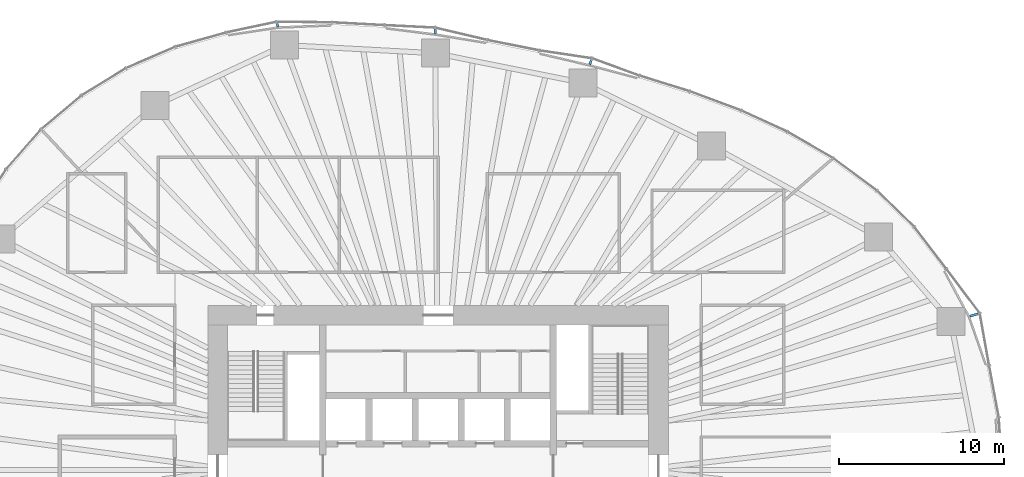
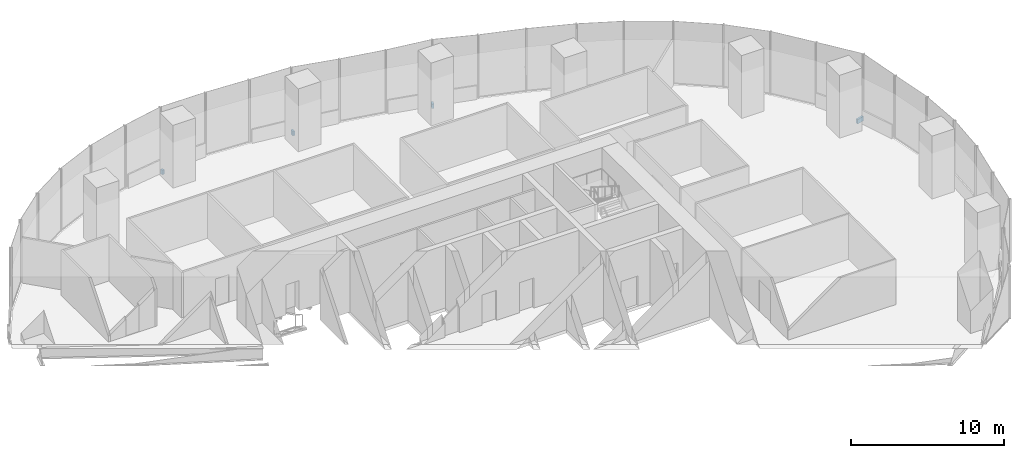
# One storey, part 15 of 20: 4 discrete accessories.
"""IFC4 building model written with IfcOpenShell, lengths in metres."""

from ifc_helpers import new_model, si_unit, direction, frame, origin, origin_2d, place, context, subcontext, project, spatial, rectangle, extrude, material, type_object, element, save


model = new_model("IFC4")

# Units and contexts
model_context = context("Model", 3, precision=1e-05, world=origin(), true_north=direction((0.0, 1.0)))
body_context = subcontext(model_context, "Body", "Model", "MODEL_VIEW")
ifc_project = project(units=[si_unit("LENGTHUNIT", "METRE"), si_unit("AREAUNIT", "SQUARE_METRE"), si_unit("VOLUMEUNIT", "CUBIC_METRE"), si_unit("PLANEANGLEUNIT", "RADIAN"), si_unit("MASSUNIT", "GRAM", prefix="KILO")], contexts=[model_context])

# Site, building, storey
site_placement = place(None, origin())
site = spatial("IfcSite", under=ifc_project, at=site_placement, CompositionType="ELEMENT")
building_placement = place(site_placement, origin())
building = spatial("IfcBuilding", under=site, at=building_placement, Name="Ghaith Harvest Tower", CompositionType="ELEMENT")
storey_placement = place(building_placement, frame((0.0, 0.0, 80.0)))
storey = spatial("IfcBuildingStorey", under=building, at=storey_placement, Name="L16", CompositionType="ELEMENT", Elevation=80.0)

# Discrete accessories
ifc_material_1 = material(Name="Stainless steel grade 1.4401", Category="steel")
discrete_accessory_type_1 = type_object("IfcDiscreteAccessoryType", Name="CURTAIN WALL BRACKET 205", PredefinedType="BRACKET", material=ifc_material_1)
discrete_accessory_1_placement = place(storey_placement, frame((-9.766845703125, 27.04150390625, -0.25), z_axis=(0.0, 0.0, 1.0), x_axis=(-0.339699453402, 0.94053404051, 0.0)))
element("IfcDiscreteAccessory", 1, at=discrete_accessory_1_placement, inside=storey, type_object=discrete_accessory_type_1, Name="CW-F bracket 1 bay 07 L16", PredefinedType="BRACKET", context=body_context, shape_type="SweptSolid", body=[
    extrude(rectangle(XDim=0.205078125, YDim=0.14990234375, at=origin_2d()), origin(), (0.0, 0.0, 1.0), 0.35009765625),
])
ifc_material_2 = material(Name="Stainless steel grade 1.4401", Category="steel")
discrete_accessory_type_2 = type_object("IfcDiscreteAccessoryType", Name="CURTAIN WALL BRACKET 255", PredefinedType="BRACKET", material=ifc_material_2)
discrete_accessory_2_placement = place(storey_placement, frame((-0.182373046875, 26.649658203125, -0.25), z_axis=(0.0, 0.0, 1.0), x_axis=(-0.006843747783, 0.999976581284, 0.0)))
element("IfcDiscreteAccessory", 2, at=discrete_accessory_2_placement, inside=storey, type_object=discrete_accessory_type_2, Name="CW-F bracket 1 bay 06 L16", PredefinedType="BRACKET", context=body_context, shape_type="SweptSolid", body=[
    extrude(rectangle(XDim=0.2548828125, YDim=0.14990234375, at=origin_2d()), origin(), (0.0, 0.0, 1.0), 0.35009765625),
])
ifc_material_3 = material(Name="Stainless steel grade 1.4401", Category="steel")
discrete_accessory_type_3 = type_object("IfcDiscreteAccessoryType", Name="CURTAIN WALL BRACKET 295", PredefinedType="BRACKET", material=ifc_material_3)
discrete_accessory_3_placement = place(storey_placement, frame((9.265380859375, 24.7841796875, -0.25), z_axis=(0.0, 0.0, 1.0), x_axis=(0.35016769709, 0.936687025593, 0.0)))
element("IfcDiscreteAccessory", 3, at=discrete_accessory_3_placement, inside=storey, type_object=discrete_accessory_type_3, Name="CW-F bracket 1 bay 05 L16", PredefinedType="BRACKET", context=body_context, shape_type="SweptSolid", body=[
    extrude(rectangle(XDim=0.294921875, YDim=0.14990234375, at=origin_2d()), origin(), (0.0, 0.0, 1.0), 0.35009765625),
])
ifc_material_4 = material(Name="Stainless steel grade 1.4401", Category="steel")
discrete_accessory_type_4 = type_object("IfcDiscreteAccessoryType", Name="CURTAIN WALL BRACKET 535", PredefinedType="BRACKET", material=ifc_material_4)
discrete_accessory_4_placement = place(storey_placement, frame((32.570556640625, 9.41357421875, -0.25), z_axis=(0.0, 0.0, 1.0), x_axis=(0.960680349985, 0.277656739792, 0.0)))
element("IfcDiscreteAccessory", 4, at=discrete_accessory_4_placement, inside=storey, type_object=discrete_accessory_type_4, Name="CW-F bracket 1 bay 02 L16", PredefinedType="BRACKET", context=body_context, shape_type="SweptSolid", body=[
    extrude(rectangle(XDim=0.534912109375, YDim=0.14990234375, at=origin_2d()), origin(), (0.0, 0.0, 1.0), 0.35009765625),
])

save(model, "model.ifc")
